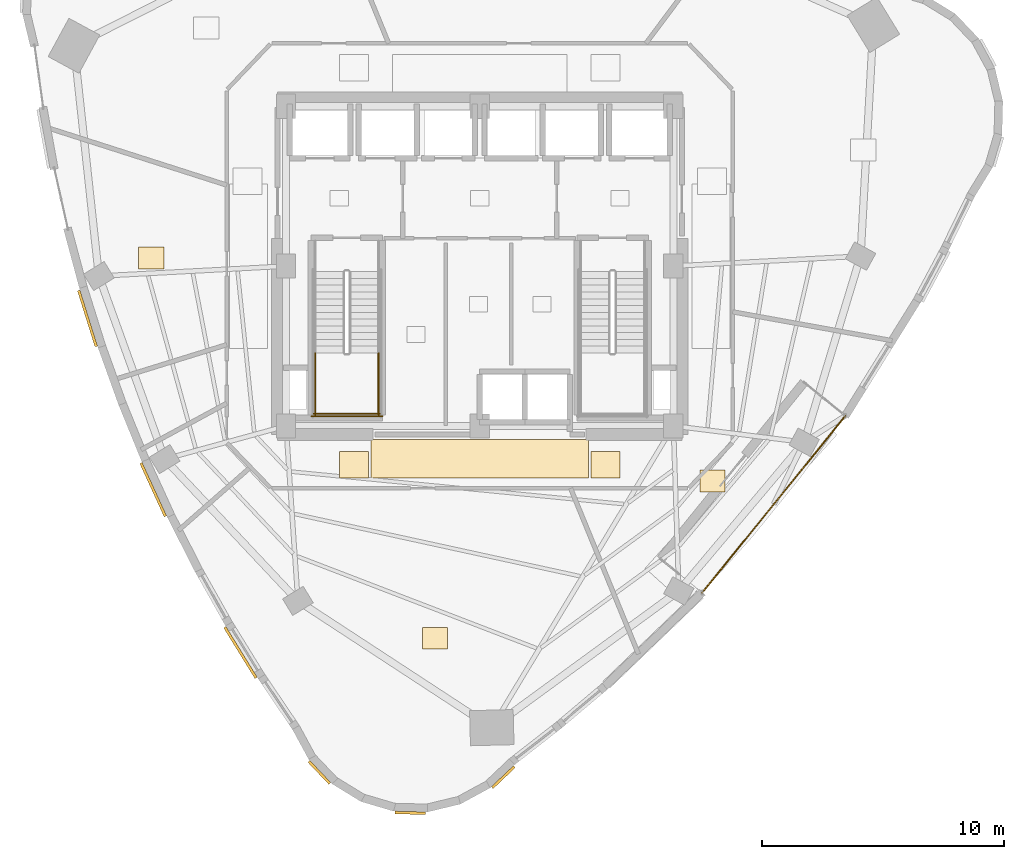
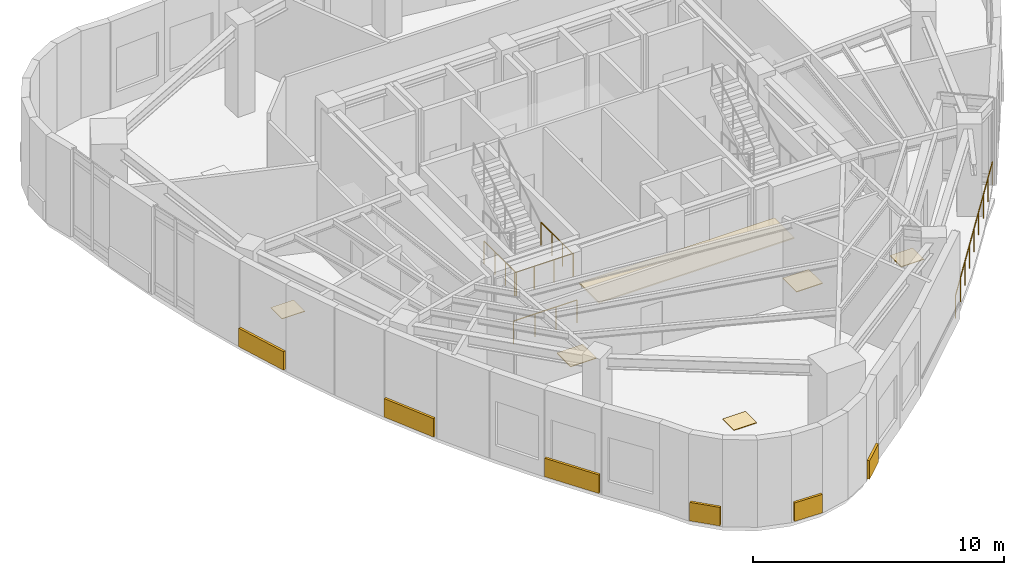
# One storey, part 12 of 14: 12 coverings, 5 railings.
"""IFC4 building model written with IfcOpenShell, lengths in metres."""

from ifc_helpers import new_model, si_unit, direction, frame, origin, origin_2d, place, context, subcontext, project, spatial, rectangle, circle, extrude, material, layer, layer_set, type_object, element, save


model = new_model("IFC4")

# Units and contexts
model_context = context("Model", 3, precision=1e-05, world=origin(), true_north=direction((0.0, 1.0)))
body_context = subcontext(model_context, "Body", "Model", "MODEL_VIEW")
ifc_project = project(units=[si_unit("LENGTHUNIT", "METRE"), si_unit("AREAUNIT", "SQUARE_METRE"), si_unit("VOLUMEUNIT", "CUBIC_METRE"), si_unit("PLANEANGLEUNIT", "RADIAN"), si_unit("MASSUNIT", "GRAM", prefix="KILO")], contexts=[model_context])

# Site, building, storey
site_placement = place(None, origin())
site = spatial("IfcSite", under=ifc_project, at=site_placement, CompositionType="ELEMENT")
building_placement = place(site_placement, origin())
building = spatial("IfcBuilding", under=site, at=building_placement, Name="Ndelora Gate Hotel", CompositionType="ELEMENT")
storey_placement = place(building_placement, frame((0.0, 0.0, 178.25)))
storey = spatial("IfcBuildingStorey", under=building, at=storey_placement, Name="L44", CompositionType="ELEMENT", Elevation=178.25)

# Coverings
ifc_material_1 = material(Name="Perforated Acoustic Gypsum Board", Category="gypsum")
ifc_layer_1 = layer(ifc_material_1, 0.054931640625)
ifc_layer_set_1 = layer_set([ifc_layer_1], Name="Perforated Acoustic Gypsum Board")
covering_type_1 = type_object("IfcCoveringType", Name="COV-CEIL-AC60", PredefinedType="CEILING", material=ifc_layer_set_1)
covering_1_placement = place(storey_placement, frame((0.0, -7.9599609375, 2.65234375), z_axis=(0.0, 0.0, 1.0), x_axis=(1.0, 0.0, 0.0)))
element("IfcCovering", 1, at=covering_1_placement, inside=storey, type_object=covering_type_1, Name="L44 Guest Corridor Acoustic Ceiling S", PredefinedType="CEILING", context=body_context, shape_type="SweptSolid", body=[
    extrude(rectangle(XDim=9.0, YDim=1.580078125, at=origin_2d()), origin(), (0.0, 0.0, 1.0), 0.054931640625),
])
ifc_material_2 = material(Name="Terracotta Fired Clay Brick Slip Cladding", Category="masonry")
ifc_layer_2 = layer(ifc_material_2, 0.110107421875)
ifc_layer_set_2 = layer_set([ifc_layer_2], Name="Terracotta Fired Clay Brick Slip Cladding")
covering_type_2 = type_object("IfcCoveringType", Name="COV-CLAD-BRK", PredefinedType="CLADDING", material=ifc_layer_set_2)
for number, where, z_axis, x_axis, name in (
    (2, (-16.201416015625, -2.16259765625, 0.10009765625), (0.0, 0.0, 1.0), (-0.299040792256, 0.954240328516, 0.0), "L44 Rounded-Corner Brick Cladding Band 13"),
    (3, (-13.487060546875, -9.233642578125, 0.10009765625), (0.0, 0.0, 1.0), (-0.41628079226, 0.909236109047, 0.0), "L44 Rounded-Corner Brick Cladding Band 16"),
):
    element("IfcCovering", number, at=place(storey_placement, frame(where, z_axis=z_axis, x_axis=x_axis)), inside=storey, type_object=covering_type_2, Name=name, PredefinedType="CLADDING", context=body_context, shape_type="SweptSolid", body=[
        extrude(rectangle(XDim=2.4208984375, YDim=0.110107421875, at=origin_2d()), origin(), (0.0, 0.0, 1.0), 0.89990234375),
    ])
covering_2_placement = place(storey_placement, frame((-9.8828125, -15.96240234375, 0.10009765625), z_axis=(0.0, 0.0, 1.0), x_axis=(-0.525323148518, 0.850902808569, 0.0)))
element("IfcCovering", 4, at=covering_2_placement, inside=storey, type_object=covering_type_2, Name="L44 Rounded-Corner Brick Cladding Band 19", PredefinedType="CLADDING", context=body_context, shape_type="SweptSolid", body=[
    extrude(rectangle(XDim=2.4599609375, YDim=0.110107421875, at=origin_2d()), origin(), (0.0, 0.0, 1.0), 0.89990234375),
])
for number, where, z_axis, x_axis, name in (
    (5, (-6.62451171875, -20.912841796875, 0.10009765625), (0.0, 0.0, 1.0), (-0.688354575694, 0.725374371012, 0.0), "L44 Rounded-Corner Brick Cladding Band 22"),
    (6, (-2.866943359375, -22.585693359375, 0.10009765625), (0.0, 0.0, 1.0), (-0.999657324976, 0.026176948308, 0.0), "L44 Rounded-Corner Brick Cladding Band 25"),
    (7, (0.972900390625, -21.11181640625, 0.10009765625), (0.0, 0.0, 1.0), (0.725374371012, 0.688354575694, 0.0), "L44 Rounded-Corner Brick Cladding Band 28"),
):
    element("IfcCovering", number, at=place(storey_placement, frame(where, z_axis=z_axis, x_axis=x_axis)), inside=storey, type_object=covering_type_2, Name=name, PredefinedType="CLADDING", context=body_context, shape_type="SweptSolid", body=[
        extrude(rectangle(XDim=1.257080078125, YDim=0.110107421875, at=origin_2d()), origin(), (0.0, 0.0, 1.0), 0.89990234375),
    ])
ifc_material_3 = material(Name="Engineered Highland Oak Parquet", Category="wood")
ifc_layer_3 = layer(ifc_material_3, 0.030029296875)
ifc_layer_set_3 = layer_set([ifc_layer_3], Name="Engineered Highland Oak Parquet")
covering_type_3 = type_object("IfcCoveringType", Name="COV-FLR-PARQ", PredefinedType="FLOORING", material=ifc_layer_set_3)
for number, where, z_axis, x_axis, name in (
    (8, (-1.847412109375, -15.375244140625, 0.0), (0.0, 0.0, 1.0), (1.0, 0.0, 0.0), "L44 Altitude Fitness Cardio Gym Oak Parquet Flooring"),
    (9, (9.61328125, -8.875, 0.0), (0.0, 0.0, 1.0), (1.0, 0.0, 0.0), "L44 Sky Garden Tea Dining Room Oak Parquet Flooring"),
    (10, (-13.57421875, 0.337158203125, 0.0), (0.0, 0.0, 1.0), (1.0, 0.0, 0.0), "L44 Fitness Changing Shower Room Oak Parquet Flooring"),
):
    element("IfcCovering", number, at=place(storey_placement, frame(where, z_axis=z_axis, x_axis=x_axis)), inside=storey, type_object=covering_type_3, Name=name, PredefinedType="FLOORING", context=body_context, shape_type="SweptSolid", body=[
        extrude(rectangle(XDim=1.050048828125, YDim=0.89990234375, at=origin_2d()), origin(), (0.0, 0.0, 1.0), 0.030029296875),
    ])
ifc_material_4 = material(Name="Polished Highland Stone Terrazzo", Category="masonry")
ifc_layer_4 = layer(ifc_material_4, 0.034912109375)
ifc_layer_set_4 = layer_set([ifc_layer_4], Name="Polished Highland Stone Terrazzo")
covering_type_4 = type_object("IfcCoveringType", Name="COV-FLR-TERZ", PredefinedType="FLOORING", material=ifc_layer_set_4)
for number, where, z_axis, x_axis, name in (
    (11, (-5.199951171875, -8.199951171875, 0.0), (0.0, 0.0, 1.0), (1.0, 0.0, 0.0), "L44 Corridor Threshold Terrazzo Inlay SW"),
    (12, (5.199951171875, -8.199951171875, 0.0), (0.0, 0.0, 1.0), (1.0, 0.0, 0.0), "L44 Corridor Threshold Terrazzo Inlay SE"),
):
    element("IfcCovering", number, at=place(storey_placement, frame(where, z_axis=z_axis, x_axis=x_axis)), inside=storey, type_object=covering_type_4, Name=name, PredefinedType="FLOORING", context=body_context, shape_type="SweptSolid", body=[
        extrude(rectangle(XDim=1.199951171875, YDim=1.10009765625, at=origin_2d()), origin(), (0.0, 0.0, 1.0), 0.034912109375),
    ])

# Railings
ifc_material_5 = material(Name="Laminated Safety Glass and Bronze Top Rail", Category="glass")
ifc_layer_5 = layer(ifc_material_5, 0.070068359375)
ifc_layer_set_5 = layer_set([ifc_layer_5], Name="Laminated Safety Glass and Bronze Top Rail")
railing_type_1 = type_object("IfcRailingType", Name="RL-BAL-1150", PredefinedType="BALUSTRADE", material=ifc_layer_set_5)
railing_1_placement = place(storey_placement, frame((9.18896484375, -13.48876953125, 0.0)))
element("IfcRailing", 13, at=railing_1_placement, inside=storey, type_object=railing_type_1, Name="L44 Sky-Garden Loggia Terrace Balustrade", PredefinedType="BALUSTRADE", context=body_context, shape_type="SweptSolid", body=[
    extrude(circle(Radius=0.02392578125, at=origin_2d()), frame((0.0, 0.0, 1.1357421875), z_axis=(0.629314777839, 0.777150506912, 0.0), x_axis=(-0.777150506912, 0.629314777839, 0.0)), (0.0, 0.0, 1.0), 9.39990234375),
    extrude(circle(Radius=0.02099609375, at=origin_2d()), origin(), (0.0, 0.0, 1.0), 1.11181640625),
    extrude(circle(Radius=0.02099609375, at=origin_2d()), frame((0.739501953125, 0.9130859375, 0.0)), (0.0, 0.0, 1.0), 1.11181640625),
    extrude(circle(Radius=0.02099609375, at=origin_2d()), frame((1.47900390625, 1.826171875, 0.0)), (0.0, 0.0, 1.0), 1.11181640625),
    extrude(circle(Radius=0.02099609375, at=origin_2d()), frame((2.21826171875, 2.739501953125, 0.0)), (0.0, 0.0, 1.0), 1.11181640625),
    extrude(circle(Radius=0.02099609375, at=origin_2d()), frame((2.957763671875, 3.652587890625, 0.0)), (0.0, 0.0, 1.0), 1.11181640625),
    extrude(circle(Radius=0.02099609375, at=origin_2d()), frame((3.697265625, 4.565673828125, 0.0)), (0.0, 0.0, 1.0), 1.11181640625),
    extrude(circle(Radius=0.02099609375, at=origin_2d()), frame((4.4365234375, 5.47900390625, 0.0)), (0.0, 0.0, 1.0), 1.11181640625),
    extrude(circle(Radius=0.02099609375, at=origin_2d()), frame((5.176025390625, 6.39208984375, 0.0)), (0.0, 0.0, 1.0), 1.11181640625),
    extrude(circle(Radius=0.02099609375, at=origin_2d()), frame((5.91552734375, 7.30517578125, 0.0)), (0.0, 0.0, 1.0), 1.11181640625),
])
ifc_material_6 = material(Name="Painted Galvanized Steel Balustrade", Category="steel")
ifc_layer_6 = layer(ifc_material_6, 0.06005859375)
ifc_layer_set_6 = layer_set([ifc_layer_6], Name="Painted Galvanized Steel Balustrade")
railing_type_2 = type_object("IfcRailingType", Name="RL-STAIR-GD", PredefinedType="GUARDRAIL", material=ifc_layer_set_6)
for number, where, name in (
    (14, (-6.800048828125, -3.590087890625, 2.25), "L44 ST4 stair guard 3"),
    (15, (-4.179931640625, -3.590087890625, 2.25), "L44 ST4 stair guard 4"),
):
    element("IfcRailing", number, at=place(storey_placement, frame(where)), inside=storey, type_object=railing_type_2, Name=name, PredefinedType="GUARDRAIL", context=body_context, shape_type="SweptSolid", body=[
        extrude(circle(Radius=0.02392578125, at=origin_2d()), frame((0.0, 0.0, 1.10595703125), z_axis=(0.0, -1.0, 0.0), x_axis=(1.0, 0.0, 0.0)), (0.0, 0.0, 1.0), 2.559814453125),
        extrude(circle(Radius=0.02099609375, at=origin_2d()), origin(), (0.0, 0.0, 1.0), 1.081787109375),
        extrude(circle(Radius=0.02099609375, at=origin_2d()), frame((0.0, -0.853271484375, 0.0)), (0.0, 0.0, 1.0), 1.081787109375),
        extrude(circle(Radius=0.02099609375, at=origin_2d()), frame((0.0, -1.70654296875, 0.0)), (0.0, 0.0, 1.0), 1.081787109375),
        extrude(circle(Radius=0.02099609375, at=origin_2d()), frame((0.0, -2.559814453125, 0.0)), (0.0, 0.0, 1.0), 1.081787109375),
    ])
railing_2_placement = place(storey_placement, frame((-6.85009765625, -6.10009765625, 2.25)))
element("IfcRailing", 16, at=railing_2_placement, inside=storey, type_object=railing_type_2, Name="L44 ST4 stair guard 5", PredefinedType="GUARDRAIL", context=body_context, shape_type="SweptSolid", body=[
    extrude(circle(Radius=0.02392578125, at=origin_2d()), frame((0.0, 0.0, 1.10595703125), z_axis=(1.0, 0.0, 0.0), x_axis=(0.0, 1.0, 0.0)), (0.0, 0.0, 1.0), 2.72021484375),
    extrude(circle(Radius=0.02099609375, at=origin_2d()), origin(), (0.0, 0.0, 1.0), 1.081787109375),
    extrude(circle(Radius=0.02099609375, at=origin_2d()), frame((0.90673828125, 0.0, 0.0)), (0.0, 0.0, 1.0), 1.081787109375),
    extrude(circle(Radius=0.02099609375, at=origin_2d()), frame((1.8134765625, 0.0, 0.0)), (0.0, 0.0, 1.0), 1.081787109375),
    extrude(circle(Radius=0.02099609375, at=origin_2d()), frame((2.72021484375, 0.0, 0.0)), (0.0, 0.0, 1.0), 1.081787109375),
])
railing_3_placement = place(storey_placement, frame((-6.949951171875, -6.199951171875, 0.0)))
element("IfcRailing", 17, at=railing_3_placement, inside=storey, type_object=railing_type_2, Name="L44 ST4 stair guard 12", PredefinedType="GUARDRAIL", context=body_context, shape_type="SweptSolid", body=[
    extrude(circle(Radius=0.02392578125, at=origin_2d()), frame((0.0, 0.0, 1.10595703125), z_axis=(1.0, 0.0, 0.0), x_axis=(0.0, 1.0, 0.0)), (0.0, 0.0, 1.0), 2.919921875),
    extrude(circle(Radius=0.02099609375, at=origin_2d()), origin(), (0.0, 0.0, 1.0), 1.081787109375),
    extrude(circle(Radius=0.02099609375, at=origin_2d()), frame((0.973388671875, 0.0, 0.0)), (0.0, 0.0, 1.0), 1.081787109375),
    extrude(circle(Radius=0.02099609375, at=origin_2d()), frame((1.946533203125, 0.0, 0.0)), (0.0, 0.0, 1.0), 1.081787109375),
    extrude(circle(Radius=0.02099609375, at=origin_2d()), frame((2.919921875, 0.0, 0.0)), (0.0, 0.0, 1.0), 1.081787109375),
])

save(model, "model.ifc")
